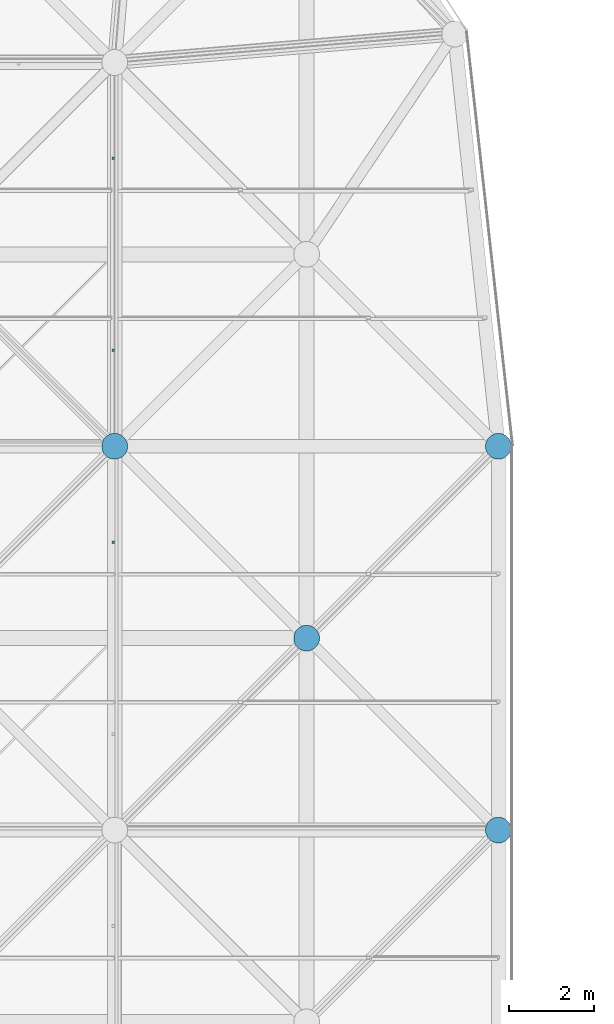
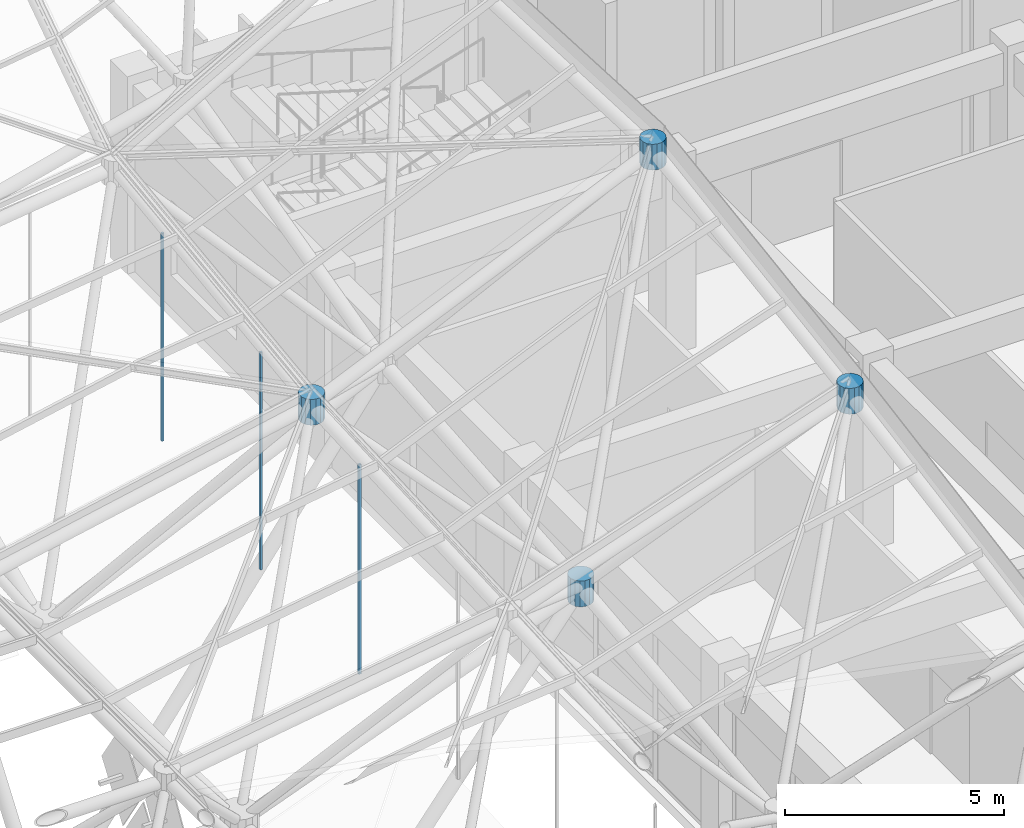
# One storey, part 340 of 437: 7 discrete accessories.
"""IFC4 building model written with IfcOpenShell, lengths in metres."""

from ifc_helpers import new_model, si_unit, direction, frame, origin, place, context, subcontext, project, spatial, polyline, outline, extrude, material, type_object, element, save


model = new_model("IFC4")

# Units and contexts
model_context = context("Model", 3, precision=1e-05, world=origin(), true_north=direction((0.0, 1.0)))
body_context = subcontext(model_context, "Body", "Model", "MODEL_VIEW")
ifc_project = project(units=[si_unit("LENGTHUNIT", "METRE"), si_unit("AREAUNIT", "SQUARE_METRE"), si_unit("VOLUMEUNIT", "CUBIC_METRE"), si_unit("PLANEANGLEUNIT", "RADIAN"), si_unit("MASSUNIT", "GRAM", prefix="KILO")], contexts=[model_context])

# Site, building, storey
site_placement = place(None, origin())
site = spatial("IfcSite", under=ifc_project, at=site_placement, CompositionType="ELEMENT")
building_placement = place(site_placement, origin())
building = spatial("IfcBuilding", under=site, at=building_placement, Name="Opaline Strait Convention Centre", CompositionType="ELEMENT")
storey_placement = place(building_placement, frame((0.0, 0.0, 11.5)))
storey = spatial("IfcBuildingStorey", under=building, at=storey_placement, Name="L02", CompositionType="ELEMENT", Elevation=11.5)

# Discrete accessories
ifc_material_1 = material(Name="Steel Q355B", Category="steel")
discrete_accessory_type_1 = type_object("IfcDiscreteAccessoryType", Name="Soffit hanger 60x60 steel", PredefinedType="BRACKET", material=ifc_material_1)
discrete_accessory_1_placement = place(storey_placement, frame((0.0, 0.0, 13.696533203125)))
element("IfcDiscreteAccessory", 1, at=discrete_accessory_1_placement, inside=storey, type_object=discrete_accessory_type_1, Name="Soffit hanger", PredefinedType="BRACKET", context=body_context, shape_type="SweptSolid", body=[
    extrude(outline(polyline([(265.43505859375, 146.219970703125), (265.4951171875, 146.219970703125), (265.4951171875, 146.280029296875), (265.43505859375, 146.280029296875), (265.43505859375, 146.219970703125)])), origin(), (0.0, 0.0, 1.0), 5.84130859375),
])
discrete_accessory_2_placement = place(storey_placement, frame((0.0, 0.0, 13.872314453125)))
element("IfcDiscreteAccessory", 2, at=discrete_accessory_2_placement, inside=storey, type_object=discrete_accessory_type_1, Name="Soffit hanger", PredefinedType="BRACKET", context=body_context, shape_type="SweptSolid", body=[
    extrude(outline(polyline([(265.43505859375, 150.719970703125), (265.4951171875, 150.719970703125), (265.4951171875, 150.780029296875), (265.43505859375, 150.780029296875), (265.43505859375, 150.719970703125)])), origin(), (0.0, 0.0, 1.0), 6.0673828125),
])
discrete_accessory_3_placement = place(storey_placement, frame((0.0, 0.0, 14.73193359375)))
element("IfcDiscreteAccessory", 3, at=discrete_accessory_3_placement, inside=storey, type_object=discrete_accessory_type_1, Name="Soffit hanger", PredefinedType="BRACKET", context=body_context, shape_type="SweptSolid", body=[
    extrude(outline(polyline([(265.43505859375, 155.219970703125), (265.4951171875, 155.219970703125), (265.4951171875, 155.280029296875), (265.43505859375, 155.280029296875), (265.43505859375, 155.219970703125)])), origin(), (0.0, 0.0, 1.0), 5.793701171875),
])
ifc_material_2 = material(Name="Cast steel ZG300-500H (300 MPa)", Category="steel")
discrete_accessory_type_2 = type_object("IfcDiscreteAccessoryType", Name="Space frame node hub D600", PredefinedType="USERDEFINED", material=ifc_material_2)
discrete_accessory_4_placement = place(storey_placement, frame((0.0, 0.0, 19.449462890625)))
element("IfcDiscreteAccessory", 4, at=discrete_accessory_4_placement, inside=storey, type_object=discrete_accessory_type_2, Name="Top node 21/13", ObjectType="NODE HUB", PredefinedType="USERDEFINED", context=body_context, shape_type="SweptSolid", body=[
    extrude(outline(polyline([(265.800048828125, 148.559814453125), (265.75439453125, 148.669921875), (265.669921875, 148.75439453125), (265.559814453125, 148.800048828125), (265.440185546875, 148.800048828125), (265.330078125, 148.75439453125), (265.24560546875, 148.669921875), (265.199951171875, 148.559814453125), (265.199951171875, 148.440185546875), (265.24560546875, 148.330078125), (265.330078125, 148.24560546875), (265.440185546875, 148.199951171875), (265.559814453125, 148.199951171875), (265.669921875, 148.24560546875), (265.75439453125, 148.330078125), (265.800048828125, 148.440185546875), (265.800048828125, 148.559814453125)])), origin(), (0.0, 0.0, 1.0), 0.719970703125),
])
discrete_accessory_5_placement = place(storey_placement, frame((0.0, 0.0, 22.0634765625)))
element("IfcDiscreteAccessory", 5, at=discrete_accessory_5_placement, inside=storey, type_object=discrete_accessory_type_2, Name="Top node 22/12", ObjectType="NODE HUB", PredefinedType="USERDEFINED", context=body_context, shape_type="SweptSolid", body=[
    extrude(outline(polyline([(274.800048828125, 139.559814453125), (274.75439453125, 139.669921875), (274.669921875, 139.75439453125), (274.559814453125, 139.800048828125), (274.440185546875, 139.800048828125), (274.330078125, 139.75439453125), (274.24560546875, 139.669921875), (274.199951171875, 139.559814453125), (274.199951171875, 139.440185546875), (274.24560546875, 139.330078125), (274.330078125, 139.24560546875), (274.440185546875, 139.199951171875), (274.559814453125, 139.199951171875), (274.669921875, 139.24560546875), (274.75439453125, 139.330078125), (274.800048828125, 139.440185546875), (274.800048828125, 139.559814453125)])), origin(), (0.0, 0.0, 1.0), 0.719970703125),
])
discrete_accessory_6_placement = place(storey_placement, frame((0.0, 0.0, 23.408203125)))
element("IfcDiscreteAccessory", 6, at=discrete_accessory_6_placement, inside=storey, type_object=discrete_accessory_type_2, Name="Top node 22/13", ObjectType="NODE HUB", PredefinedType="USERDEFINED", context=body_context, shape_type="SweptSolid", body=[
    extrude(outline(polyline([(274.800048828125, 148.559814453125), (274.75439453125, 148.669921875), (274.669921875, 148.75439453125), (274.559814453125, 148.800048828125), (274.440185546875, 148.800048828125), (274.330078125, 148.75439453125), (274.24560546875, 148.669921875), (274.199951171875, 148.559814453125), (274.199951171875, 148.440185546875), (274.24560546875, 148.330078125), (274.330078125, 148.24560546875), (274.440185546875, 148.199951171875), (274.559814453125, 148.199951171875), (274.669921875, 148.24560546875), (274.75439453125, 148.330078125), (274.800048828125, 148.440185546875), (274.800048828125, 148.559814453125)])), origin(), (0.0, 0.0, 1.0), 0.719970703125),
])
discrete_accessory_7_placement = place(storey_placement, frame((0.0, 0.0, 15.54150390625)))
element("IfcDiscreteAccessory", 7, at=discrete_accessory_7_placement, inside=storey, type_object=discrete_accessory_type_2, Name="Bottom node 21/12", ObjectType="NODE HUB", PredefinedType="USERDEFINED", context=body_context, shape_type="SweptSolid", body=[
    extrude(outline(polyline([(270.300048828125, 144.059814453125), (270.25439453125, 144.169921875), (270.169921875, 144.25439453125), (270.059814453125, 144.300048828125), (269.940185546875, 144.300048828125), (269.830078125, 144.25439453125), (269.74560546875, 144.169921875), (269.699951171875, 144.059814453125), (269.699951171875, 143.940185546875), (269.74560546875, 143.830078125), (269.830078125, 143.74560546875), (269.940185546875, 143.699951171875), (270.059814453125, 143.699951171875), (270.169921875, 143.74560546875), (270.25439453125, 143.830078125), (270.300048828125, 143.940185546875), (270.300048828125, 144.059814453125)])), origin(), (0.0, 0.0, 1.0), 0.719970703125),
])

save(model, "model.ifc")
